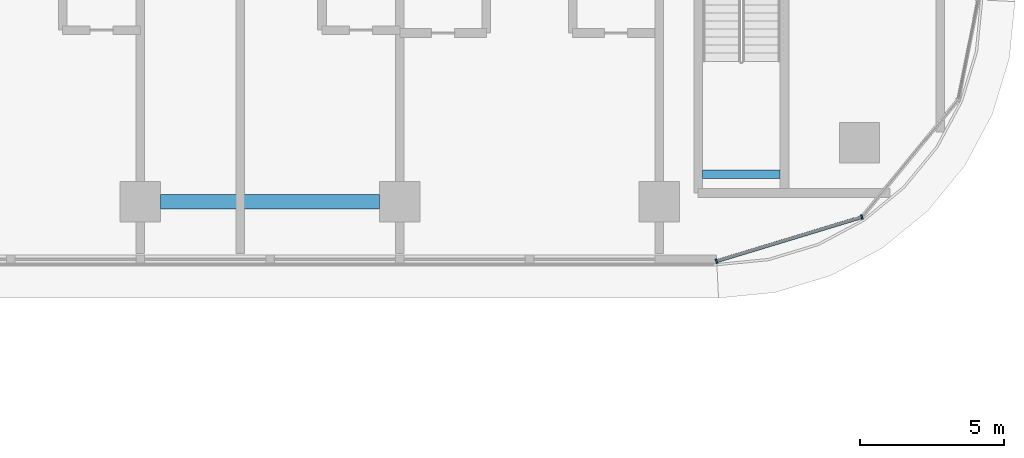
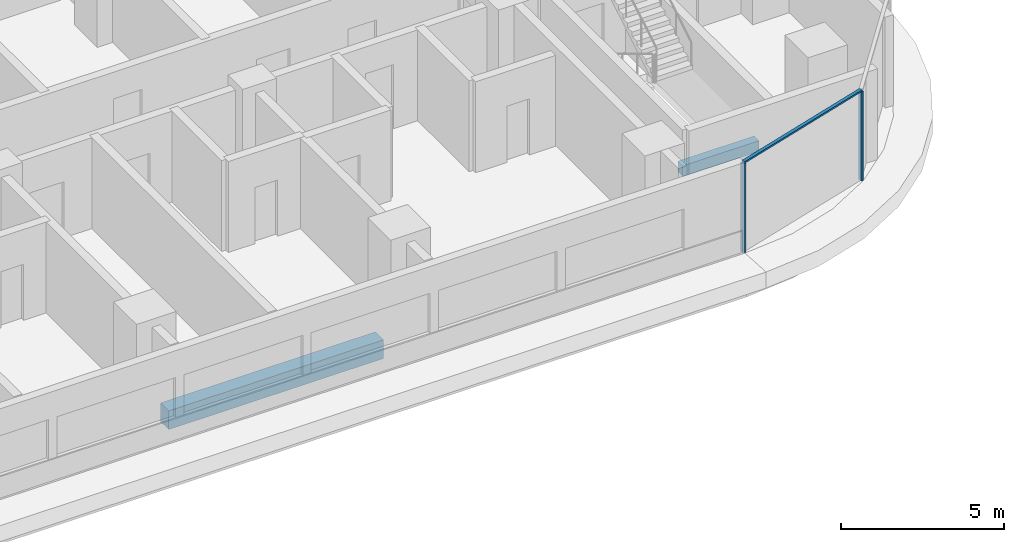
# One storey, part 3 of 36: 3 members, 2 beams, 1 element without a shape of its own.
"""IFC4 building model written with IfcOpenShell, lengths in metres."""

from ifc_helpers import new_model, si_unit, direction, frame, origin, origin_2d, place, context, subcontext, project, spatial, rectangle, extrude, material, material_profile, profile_set, type_object, element, aggregate, save


model = new_model("IFC4")

# Units and contexts
model_context = context("Model", 3, precision=1e-05, world=origin(), true_north=direction((0.0, 1.0)))
body_context = subcontext(model_context, "Body", "Model", "MODEL_VIEW")
ifc_project = project(units=[si_unit("LENGTHUNIT", "METRE"), si_unit("AREAUNIT", "SQUARE_METRE"), si_unit("VOLUMEUNIT", "CUBIC_METRE"), si_unit("PLANEANGLEUNIT", "RADIAN"), si_unit("MASSUNIT", "GRAM", prefix="KILO")], contexts=[model_context])

# Site, building, storey
site_placement = place(None, origin())
site = spatial("IfcSite", under=ifc_project, at=site_placement, CompositionType="ELEMENT")
building_placement = place(site_placement, origin())
building = spatial("IfcBuilding", under=site, at=building_placement, Name="Ogive Portal Towers", CompositionType="ELEMENT")
storey_placement = place(building_placement, frame((0.0, 0.0, 52.0)))
storey = spatial("IfcBuildingStorey", under=building, at=storey_placement, Name="L11", CompositionType="ELEMENT", Elevation=52.0)

# Beam
ifc_material_1 = material(Name="Concrete C40/50", Category="concrete")
ifc_material_profile_1 = material_profile(ifc_material_1, rectangle(XDim=0.300048828125, YDim=0.39990234375, at=origin_2d()), Name="RC 300x400")
ifc_profile_set_1 = profile_set([ifc_material_profile_1], Name="Concrete C40/50")
beam_type_1 = type_object("IfcBeamType", Name="BEAM RC 300x400", PredefinedType="BEAM", material=ifc_profile_set_1)
beam_1_placement = place(storey_placement, frame((87.0, 22.449951171875, 1.449951171875), z_axis=(1.0, 0.0, 0.0), x_axis=(0.0, 1.0, 0.0)))
element("IfcBeam", 1, at=beam_1_placement, inside=storey, type_object=beam_type_1, Name="Landing beam L11", PredefinedType="BEAM", context=body_context, shape_type="SweptSolid", body=[
    extrude(rectangle(XDim=0.300048828125, YDim=0.39990234375, at=origin_2d()), origin(), (0.0, 0.0, 1.0), 2.699951171875),
])

# Curtain wall, members
ifc_material_2 = material(Name="Glass, clear low-iron insulated glazing", Category="glass")
curtain_wall_type = type_object("IfcCurtainWallType", Name="CW FRONT RIBBON 4500", PredefinedType="NOTDEFINED", material=ifc_material_2)
curtain_wall_placement = place(storey_placement, origin())
curtain_wall = element("IfcCurtainWall", 2, at=curtain_wall_placement, inside=storey, type_object=curtain_wall_type, Name="A:L11:f09:cwa", PredefinedType="NOTDEFINED")
ifc_material_3 = material(Name="Aluminium 6063 anodised", Category="aluminium")
ifc_material_profile_2 = material_profile(ifc_material_3, rectangle(XDim=0.159912109375, YDim=0.06005859375, at=origin_2d()), Name="AL 60x160")
ifc_profile_set_2 = profile_set([ifc_material_profile_2], Name="Aluminium 6063 anodised")
member_type_1 = type_object("IfcMemberType", Name="CW MULLION 60x160", PredefinedType="MULLION", material=ifc_profile_set_2)
member_1_placement = place(storey_placement, frame((87.488037109375, 19.43505859375, 0.0), z_axis=(0.0, 0.0, 1.0), x_axis=(-0.290284677254, 0.956940335732, 0.0)))
member_1 = element("IfcMember", 3, at=member_1_placement, type_object=member_type_1, Name="mullion", PredefinedType="MULLION", context=body_context, shape_type="SweptSolid", body=[
    extrude(rectangle(XDim=0.159912109375, YDim=0.06005859375, at=origin_2d()), origin(), (0.0, 0.0, 1.0), 3.340087890625),
])
member_2_placement = place(storey_placement, frame((92.5341796875, 20.9658203125, 0.0), z_axis=(0.0, 0.0, 1.0), x_axis=(-0.290284677254, 0.956940335732, 0.0)))
member_2 = element("IfcMember", 4, at=member_2_placement, type_object=member_type_1, Name="mullion", PredefinedType="MULLION", context=body_context, shape_type="SweptSolid", body=[
    extrude(rectangle(XDim=0.159912109375, YDim=0.06005859375, at=origin_2d()), origin(), (0.0, 0.0, 1.0), 3.340087890625),
])
ifc_material_profile_3 = material_profile(ifc_material_3, rectangle(XDim=0.1201171875, YDim=0.06005859375, at=origin_2d()), Name="AL 120x60")
ifc_profile_set_3 = profile_set([ifc_material_profile_3], Name="Aluminium 6063 anodised")
member_type_2 = type_object("IfcMemberType", Name="CW TRANSOM 60x120", PredefinedType="USERDEFINED", material=ifc_profile_set_3)
member_3_placement = place(storey_placement, frame((87.488037109375, 19.43505859375, 3.3701171875), z_axis=(0.956938697275, 0.290290078471, 0.0), x_axis=(-0.290290078471, 0.956938697275, 0.0)))
member_3 = element("IfcMember", 5, at=member_3_placement, type_object=member_type_2, Name="transom", ObjectType="TRANSOM", PredefinedType="USERDEFINED", context=body_context, shape_type="SweptSolid", body=[
    extrude(rectangle(XDim=0.1201171875, YDim=0.06005859375, at=origin_2d()), origin(), (0.0, 0.0, 1.0), 5.273193359375),
])
aggregate(curtain_wall, [member_3, member_1, member_2])

# Beam
ifc_material_profile_4 = material_profile(ifc_material_1, rectangle(XDim=0.5, YDim=0.699951171875, at=origin_2d()), Name="RC 500x700")
ifc_profile_set_4 = profile_set([ifc_material_profile_4], Name="Concrete C40/50")
beam_type_2 = type_object("IfcBeamType", Name="SPANDREL BEAM RC 500x700", PredefinedType="BEAM", material=ifc_profile_set_4)
beam_2_placement = place(storey_placement, frame((75.800048828125, 21.5, -0.64990234375), z_axis=(-1.0, 0.0, 0.0), x_axis=(0.0, -1.0, 0.0)))
element("IfcBeam", 6, at=beam_2_placement, inside=storey, type_object=beam_type_2, Name="Spandrel beam L11", PredefinedType="BEAM", context=body_context, shape_type="SweptSolid", body=[
    extrude(rectangle(XDim=0.5, YDim=0.699951171875, at=origin_2d()), origin(), (0.0, 0.0, 1.0), 7.60009765625),
])

save(model, "model.ifc")
